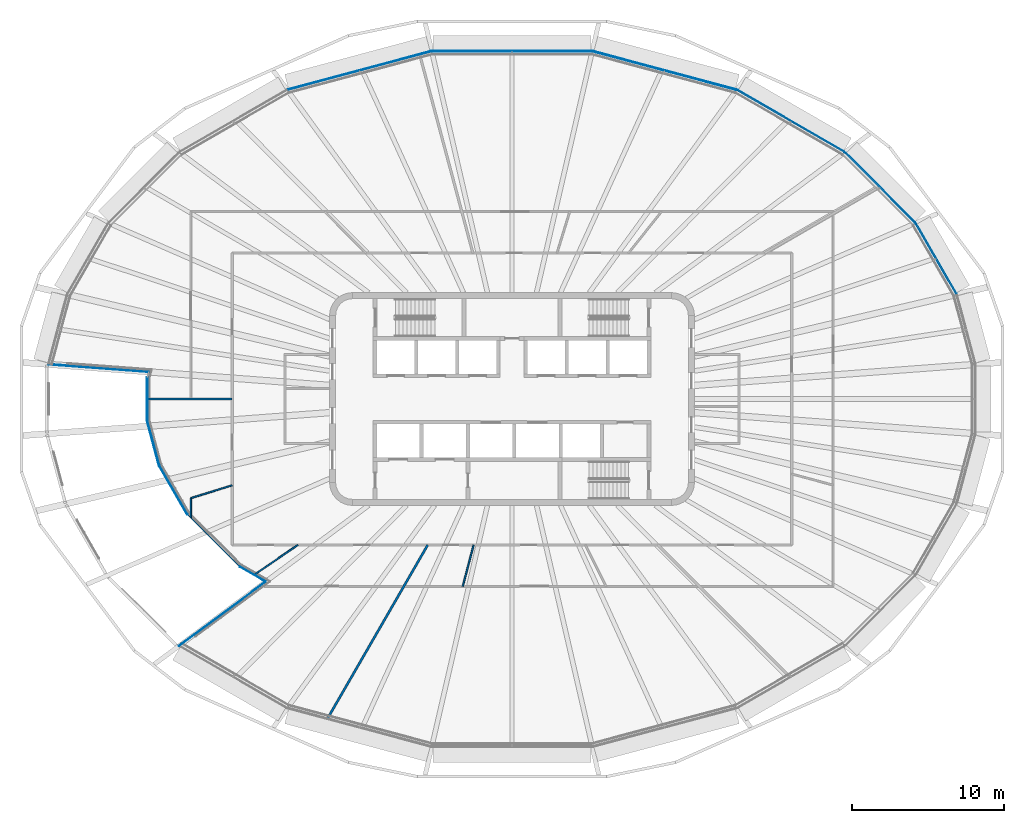
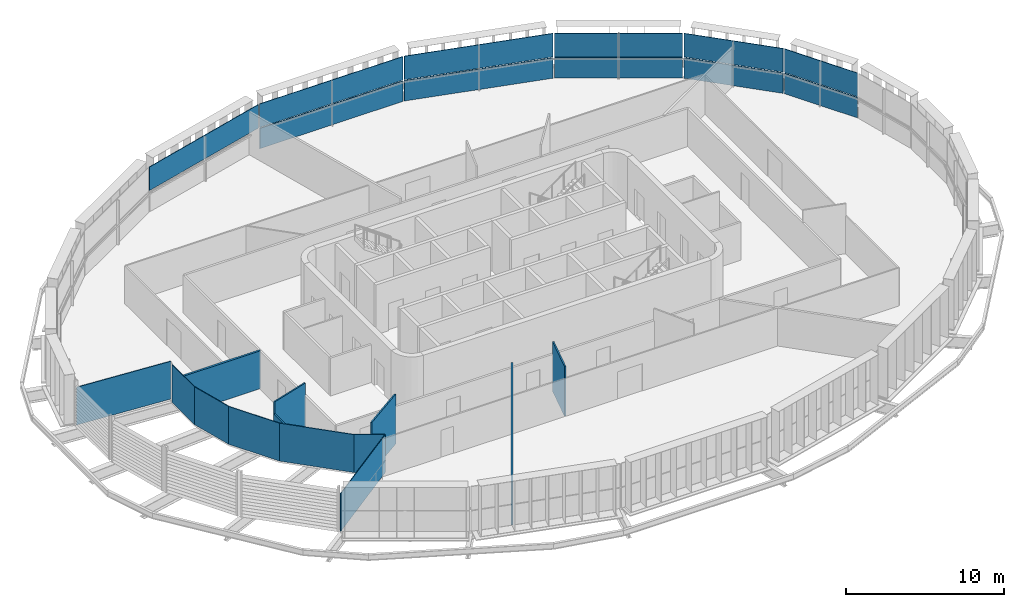
# One storey, part 9 of 19: 13 walls, 11 plates, 6 elements without a shape of their own.
"""IFC4 building model written with IfcOpenShell, lengths in metres."""

from ifc_helpers import new_model, si_unit, direction, frame, frame_2d, origin, place, context, subcontext, project, spatial, polyline, rectangle, outline, extrude, material, layer, layer_set, type_object, element, aggregate, save


model = new_model("IFC4")

# Units and contexts
model_context = context("Model", 3, precision=1e-05, world=origin(), true_north=direction((0.0, 1.0)))
body_context = subcontext(model_context, "Body", "Model", "MODEL_VIEW")
ifc_project = project(units=[si_unit("LENGTHUNIT", "METRE"), si_unit("AREAUNIT", "SQUARE_METRE"), si_unit("VOLUMEUNIT", "CUBIC_METRE"), si_unit("PLANEANGLEUNIT", "RADIAN"), si_unit("MASSUNIT", "GRAM", prefix="KILO")], contexts=[model_context])

# Site, building, storey
site_placement = place(None, origin())
site = spatial("IfcSite", under=ifc_project, at=site_placement, CompositionType="ELEMENT")
building_placement = place(site_placement, origin())
building = spatial("IfcBuilding", under=site, at=building_placement, Name="Sahrelin Media Tower", CompositionType="ELEMENT")
storey_placement = place(building_placement, frame((0.0, 0.0, 229.60009765625)))
storey = spatial("IfcBuildingStorey", under=building, at=storey_placement, Name="L49", CompositionType="ELEMENT", Elevation=229.60009765625)

# Curtain wall, plate
ifc_material_1 = material(Name="Champagne anodised aluminium 6063-T6", Category="aluminium")
ifc_layer_1 = layer(ifc_material_1, 0.14990234375)
ifc_layer_set_1 = layer_set([ifc_layer_1], Name="Tower ribbon curtain wall")
curtain_wall_type = type_object("IfcCurtainWallType", Name="Tower ribbon curtain wall", PredefinedType="NOTDEFINED", material=ifc_layer_set_1)
curtain_wall_1_placement = place(storey_placement, frame((27.905517578125, 9.22802734375, 0.0), z_axis=(0.0, 0.0, 1.0), x_axis=(1.0, 0.0, 0.0)))
curtain_wall_1 = element("IfcCurtainWall", 1, at=curtain_wall_1_placement, inside=storey, type_object=curtain_wall_type, Name="L49:CW:L49-02", PredefinedType="NOTDEFINED")
ifc_material_2 = material(Name="Clear low-iron glazing", Category="glass")
ifc_layer_2 = layer(ifc_material_2, 0.0439453125)
ifc_layer_set_2 = layer_set([ifc_layer_2], Name="Glazing panel 44 mm CW1B")
plate_type_1 = type_object("IfcPlateType", Name="Glazing panel 44 mm CW1B", PredefinedType="CURTAIN_PANEL", material=ifc_layer_set_2)
plate_1_placement = place(storey_placement, frame((29.253173828125, 6.93359375, 1.6298828125), z_axis=(0.866018272686, 0.500012351221, 0.0), x_axis=(-0.500012351221, 0.866018272686, 0.0)))
plate_1 = element("IfcPlate", 2, at=plate_1_placement, type_object=plate_type_1, Name="L49:CWP2:L49-02", PredefinedType="CURTAIN_PANEL", context=body_context, shape_type="SweptSolid", body=[
    extrude(outline(polyline([(0.0, 0.0), (5.321533203125, 0.0), (5.321533203125, 1.818603515625), (0.0, 1.818603515625), (0.0, 0.0)])), origin(), (0.0, 0.0, -1.0), 0.0439453125),
])

curtain_wall_2_placement = place(storey_placement, frame((24.22119140625, 13.904296875, 0.0), z_axis=(0.0, 0.0, 1.0), x_axis=(1.0, 0.0, 0.0)))
curtain_wall_2 = element("IfcCurtainWall", 3, at=curtain_wall_2_placement, inside=storey, type_object=curtain_wall_type, Name="L49:CW:L49-03", PredefinedType="NOTDEFINED")
plate_2_placement = place(storey_placement, frame((26.52880859375, 11.625, 1.6298828125), z_axis=(0.707106781187, 0.707106781187, 0.0), x_axis=(-0.707106781187, 0.707106781187, 0.0)))
plate_2 = element("IfcPlate", 4, at=plate_2_placement, type_object=plate_type_1, Name="L49:CWP2:L49-03", PredefinedType="CURTAIN_PANEL", context=body_context, shape_type="SweptSolid", body=[
    extrude(outline(polyline([(0.0, 0.0), (6.48681640625, 0.0), (6.48681640625, 1.818603515625), (0.0, 1.818603515625), (0.0, 0.0)])), origin(), (0.0, 0.0, -1.0), 0.0439453125),
])

curtain_wall_3_placement = place(storey_placement, frame((18.337646484375, 18.28564453125, 0.0), z_axis=(0.0, 0.0, 1.0), x_axis=(1.0, 0.0, 0.0)))
curtain_wall_3 = element("IfcCurtainWall", 5, at=curtain_wall_3_placement, inside=storey, type_object=curtain_wall_type, Name="L49:CW:L49-04", PredefinedType="NOTDEFINED")
plate_3_placement = place(storey_placement, frame((21.859130859375, 16.275390625, 1.6298828125), z_axis=(0.499998693927, 0.866026157845, 0.0), x_axis=(-0.866026157845, 0.499998693927, 0.0)))
plate_3 = element("IfcPlate", 6, at=plate_3_placement, type_object=plate_type_1, Name="L49:CWP2:L49-04", PredefinedType="CURTAIN_PANEL", context=body_context, shape_type="SweptSolid", body=[
    extrude(outline(polyline([(0.0, 0.0), (8.109375, 0.0), (8.109375, 1.818603515625), (0.0, 1.818603515625), (0.0, 0.0)])), origin(), (0.0, 0.0, -1.0), 0.0439453125),
])

curtain_wall_4_placement = place(storey_placement, frame((10.031982421875, 21.61083984375, 0.0), z_axis=(0.0, 0.0, 1.0), x_axis=(1.0, 0.0, 0.0)))
curtain_wall_4 = element("IfcCurtainWall", 7, at=curtain_wall_4_placement, inside=storey, type_object=curtain_wall_type, Name="L49:CW:L49-05", PredefinedType="NOTDEFINED")
plate_4_placement = place(storey_placement, frame((14.739990234375, 20.3701171875, 1.6298828125), z_axis=(0.258818797432, 0.965925892652, 0.0), x_axis=(-0.965925892652, 0.258818797432, 0.0)))
plate_4 = element("IfcPlate", 8, at=plate_4_placement, type_object=plate_type_1, Name="L49:CWP2:L49-05", PredefinedType="CURTAIN_PANEL", context=body_context, shape_type="SweptSolid", body=[
    extrude(outline(polyline([(0.0, 0.0), (9.737548828125, 0.0), (9.737548828125, 1.818603515625), (0.0, 1.818603515625), (0.0, 0.0)])), origin(), (0.0, 0.0, -1.0), 0.0439453125),
])

curtain_wall_5_placement = place(storey_placement, frame((0.0, 22.884033203125, 0.0), z_axis=(0.0, 0.0, 1.0), x_axis=(1.0, 0.0, 0.0)))
curtain_wall_5 = element("IfcCurtainWall", 9, at=curtain_wall_5_placement, inside=storey, type_object=curtain_wall_type, Name="L49:CW:L49-06", PredefinedType="NOTDEFINED")
plate_5_placement = place(storey_placement, frame((5.230712890625, 22.904052734375, 1.6298828125), z_axis=(0.0, 1.0, 0.0), x_axis=(-1.0, 0.0, 0.0)))
plate_5 = element("IfcPlate", 10, at=plate_5_placement, type_object=plate_type_1, Name="L49:CWP2:L49-06", PredefinedType="CURTAIN_PANEL", context=body_context, shape_type="SweptSolid", body=[
    extrude(outline(polyline([(0.0, 0.0), (10.46142578125, 0.0), (10.46142578125, 1.818603515625), (0.0, 1.818603515625), (0.0, 0.0)])), origin(), (0.0, 0.0, -1.0), 0.0439453125),
])

curtain_wall_6_placement = place(storey_placement, frame((-10.031982421875, 21.611083984375, 0.0), z_axis=(0.0, 0.0, 1.0), x_axis=(1.0, 0.0, 0.0)))
curtain_wall_6 = element("IfcCurtainWall", 11, at=curtain_wall_6_placement, inside=storey, type_object=curtain_wall_type, Name="L49:CW:L49-07", PredefinedType="NOTDEFINED")
plate_6_placement = place(storey_placement, frame((-5.334228515625, 22.890380859375, 1.6298828125), z_axis=(-0.258818797432, 0.965925892652, 0.0), x_axis=(-0.965925892652, -0.258818797432, 0.0)))
plate_6 = element("IfcPlate", 12, at=plate_6_placement, type_object=plate_type_1, Name="L49:CWP2:L49-07", PredefinedType="CURTAIN_PANEL", context=body_context, shape_type="SweptSolid", body=[
    extrude(outline(polyline([(0.0, 0.0), (9.737548828125, 0.0), (9.737548828125, 1.818603515625), (0.0, 1.818603515625), (0.0, 0.0)])), origin(), (0.0, 0.0, -1.0), 0.0439453125),
])
aggregate(curtain_wall_6, [plate_6])

# Plate
ifc_material_3 = material(Name="Insulated spandrel panel")
ifc_layer_3 = layer(ifc_material_3, 0.06005859375)
ifc_layer_set_3 = layer_set([ifc_layer_3], Name="Spandrel panel 60 mm CW1")
plate_type_2 = type_object("IfcPlateType", Name="Spandrel panel 60 mm CW1", PredefinedType="SHEET", material=ifc_layer_set_3)
plate_7_placement = place(storey_placement, frame((29.253173828125, 6.93359375, 0.0), z_axis=(0.866018272686, 0.500012351221, 0.0), x_axis=(-0.500012351221, 0.866018272686, 0.0)))
plate_7 = element("IfcPlate", 13, at=plate_7_placement, type_object=plate_type_2, Name="L49:CWP1:L49-02", PredefinedType="SHEET", context=body_context, shape_type="SweptSolid", body=[
    extrude(outline(polyline([(0.0, 0.0), (5.321533203125, 0.0), (5.321533203125, 1.56982421875), (0.0, 1.56982421875), (0.0, 0.0)])), origin(), (0.0, 0.0, -1.0), 0.06005859375),
])

aggregate(curtain_wall_1, [plate_7, plate_1])

plate_8_placement = place(storey_placement, frame((26.52880859375, 11.625, 0.0), z_axis=(0.707106781187, 0.707106781187, 0.0), x_axis=(-0.707106781187, 0.707106781187, 0.0)))
plate_8 = element("IfcPlate", 14, at=plate_8_placement, type_object=plate_type_2, Name="L49:CWP1:L49-03", PredefinedType="SHEET", context=body_context, shape_type="SweptSolid", body=[
    extrude(outline(polyline([(0.0, 0.0), (6.48681640625, 0.0), (6.48681640625, 1.56982421875), (0.0, 1.56982421875), (0.0, 0.0)])), origin(), (0.0, 0.0, -1.0), 0.06005859375),
])

aggregate(curtain_wall_2, [plate_8, plate_2])

plate_9_placement = place(storey_placement, frame((21.859130859375, 16.275390625, 0.0), z_axis=(0.499998693927, 0.866026157845, 0.0), x_axis=(-0.866026157845, 0.499998693927, 0.0)))
plate_9 = element("IfcPlate", 15, at=plate_9_placement, type_object=plate_type_2, Name="L49:CWP1:L49-04", PredefinedType="SHEET", context=body_context, shape_type="SweptSolid", body=[
    extrude(outline(polyline([(0.0, 0.0), (8.109375, 0.0), (8.109375, 1.56982421875), (0.0, 1.56982421875), (0.0, 0.0)])), origin(), (0.0, 0.0, -1.0), 0.06005859375),
])

aggregate(curtain_wall_3, [plate_9, plate_3])

plate_10_placement = place(storey_placement, frame((14.739990234375, 20.3701171875, 0.0), z_axis=(0.258818797432, 0.965925892652, 0.0), x_axis=(-0.965925892652, 0.258818797432, 0.0)))
plate_10 = element("IfcPlate", 16, at=plate_10_placement, type_object=plate_type_2, Name="L49:CWP1:L49-05", PredefinedType="SHEET", context=body_context, shape_type="SweptSolid", body=[
    extrude(outline(polyline([(0.0, 0.0), (9.737548828125, 0.0), (9.737548828125, 1.56982421875), (0.0, 1.56982421875), (0.0, 0.0)])), origin(), (0.0, 0.0, -1.0), 0.06005859375),
])

aggregate(curtain_wall_4, [plate_10, plate_4])

plate_11_placement = place(storey_placement, frame((5.230712890625, 22.904052734375, 0.0), z_axis=(0.0, 1.0, 0.0), x_axis=(-1.0, 0.0, 0.0)))
plate_11 = element("IfcPlate", 17, at=plate_11_placement, type_object=plate_type_2, Name="L49:CWP1:L49-06", PredefinedType="SHEET", context=body_context, shape_type="SweptSolid", body=[
    extrude(outline(polyline([(0.0, 0.0), (10.46142578125, 0.0), (10.46142578125, 1.56982421875), (0.0, 1.56982421875), (0.0, 0.0)])), origin(), (0.0, 0.0, -1.0), 0.06005859375),
])

aggregate(curtain_wall_5, [plate_11, plate_5])

# Walls
ifc_material_4 = material(Name="Fire-rated gypsum board partition")
ifc_layer_4 = layer(ifc_material_4, 0.14990234375)
ifc_layer_set_4 = layer_set([ifc_layer_4], Name="Fire-rated partition 150")
wall_type_1 = type_object("IfcWallType", Name="Fire-rated partition 150", PredefinedType="PARTITIONING", material=ifc_layer_set_4)
wall_1_placement = place(storey_placement, frame((-23.993896484375, 0.0, 0.0), z_axis=(0.0, 0.0, 1.0), x_axis=(1.0, 0.0, 0.0)))
element("IfcWall", 18, at=wall_1_placement, inside=storey, type_object=wall_type_1, Name="Wall", PredefinedType="PARTITIONING", context=body_context, shape_type="SweptSolid", body=[
    extrude(rectangle(XDim=5.593994140625, YDim=0.14990234375, at=frame_2d((2.796875, 0.0))), origin(), (0.0, 0.0, 1.0), 2.918212890625),
])
wall_2_placement = place(storey_placement, frame((-12.14990234375, -21.0439453125, 0.0), z_axis=(0.0, 0.0, 1.0), x_axis=(0.499954356739, 0.86605175433, 0.0)))
element("IfcWall", 19, at=wall_2_placement, inside=storey, type_object=wall_type_1, Name="Wall", PredefinedType="PARTITIONING", context=body_context, shape_type="SweptSolid", body=[
    extrude(rectangle(XDim=13.214111328125, YDim=0.14990234375, at=frame_2d((6.60693359375, 0.0))), origin(), (0.0, 0.0, 1.0), 3.301513671875),
])
ifc_material_5 = material(Name="Clear glass", Category="glass")
ifc_layer_5 = layer(ifc_material_5, 0.050048828125)
ifc_layer_set_5 = layer_set([ifc_layer_5], Name="Glazed partition 50")
wall_type_2 = type_object("IfcWallType", Name="Glazed partition 50", PredefinedType="PARTITIONING", material=ifc_layer_set_5)
wall_3_placement = place(storey_placement, frame((-23.993896484375, -1.422119140625, 0.0), z_axis=(0.0, 0.0, 1.0), x_axis=(0.258702774174, -0.965956973491, 0.0)))
element("IfcWall", 20, at=wall_3_placement, inside=storey, type_object=wall_type_2, Name="Wall", PredefinedType="PARTITIONING", context=body_context, shape_type="SweptSolid", body=[
    extrude(rectangle(XDim=3.052978515625, YDim=0.050048828125, at=frame_2d((1.5263671875, 0.0))), origin(), (0.0, 0.0, 1.0), 2.918212890625),
])
wall_4_placement = place(storey_placement, frame((-23.2041015625, -4.37109375, 0.0), z_axis=(0.0, 0.0, 1.0), x_axis=(0.500003477455, -0.866023396066, 0.0)))
element("IfcWall", 21, at=wall_4_placement, inside=storey, type_object=wall_type_2, Name="Wall", PredefinedType="PARTITIONING", context=body_context, shape_type="SweptSolid", body=[
    extrude(rectangle(XDim=3.7099609375, YDim=0.050048828125, at=frame_2d((1.85498046875, 0.0))), origin(), (0.0, 0.0, 1.0), 2.918212890625),
])
wall_5_placement = place(storey_placement, frame((-21.34912109375, -7.583984375, 0.0), z_axis=(0.0, 0.0, 1.0), x_axis=(0.70713181373, -0.707081747757, 0.0)))
element("IfcWall", 22, at=wall_5_placement, inside=storey, type_object=wall_type_2, Name="Wall", PredefinedType="PARTITIONING", context=body_context, shape_type="SweptSolid", body=[
    extrude(rectangle(XDim=4.87646484375, YDim=0.050048828125, at=frame_2d((2.438232421875, 0.0))), origin(), (0.0, 0.0, 1.0), 2.927001953125),
])
wall_6_placement = place(storey_placement, frame((-17.90087890625, -11.031982421875, 0.0), z_axis=(0.0, 0.0, 1.0), x_axis=(0.866137951632, -0.499805010722, 0.0)))
element("IfcWall", 23, at=wall_6_placement, inside=storey, type_object=wall_type_2, Name="Wall", PredefinedType="PARTITIONING", context=body_context, shape_type="SweptSolid", body=[
    extrude(rectangle(XDim=1.962646484375, YDim=0.050048828125, at=frame_2d((0.9814453125, 0.0))), origin(), (0.0, 0.0, 1.0), 2.927001953125),
])
wall_7_placement = place(storey_placement, frame((-30.493896484375, 2.278076171875, 0.0), z_axis=(0.0, 0.0, 1.0), x_axis=(0.997217377811, -0.074548651167, 0.0)))
element("IfcWall", 24, at=wall_7_placement, inside=storey, type_object=wall_type_2, Name="Wall", PredefinedType="PARTITIONING", context=body_context, shape_type="SweptSolid", body=[
    extrude(rectangle(XDim=6.615234375, YDim=0.050048828125, at=frame_2d((3.3076171875, 0.0))), origin(), (0.0, 0.0, 1.0), 2.918212890625),
])
wall_8_placement = place(storey_placement, frame((-21.89208984375, -16.23291015625, 0.0), z_axis=(0.0, 0.0, 1.0), x_axis=(0.803267144232, 0.595618917595, 0.0)))
element("IfcWall", 25, at=wall_8_placement, inside=storey, type_object=wall_type_2, Name="Wall", PredefinedType="PARTITIONING", context=body_context, shape_type="SweptSolid", body=[
    extrude(rectangle(XDim=7.0849609375, YDim=0.050048828125, at=frame_2d((3.54248046875, 0.0))), origin(), (0.0, 0.0, 1.0), 2.927001953125),
])
wall_9_placement = place(storey_placement, frame((-23.993896484375, -1.422119140625, 0.0), z_axis=(0.0, 0.0, 1.0), x_axis=(0.0, 1.0, 0.0)))
element("IfcWall", 26, at=wall_9_placement, inside=storey, type_object=wall_type_2, Name="Wall", PredefinedType="PARTITIONING", context=body_context, shape_type="SweptSolid", body=[
    extrude(rectangle(XDim=2.84423828125, YDim=0.050048828125, at=frame_2d((1.422119140625, 0.0))), origin(), (0.0, 0.0, 1.0), 2.918212890625),
])
ifc_material_6 = material(Name="Gypsum board partition")
ifc_layer_6 = layer(ifc_material_6, 0.10009765625)
ifc_layer_set_6 = layer_set([ifc_layer_6], Name="Partition 100")
wall_type_3 = type_object("IfcWallType", Name="Partition 100", PredefinedType="PARTITIONING", material=ifc_layer_set_6)
wall_10_placement = place(storey_placement, frame((-21.1201171875, -6.514892578125, 0.0), z_axis=(0.0, 0.0, 1.0), x_axis=(0.955593380923, 0.294688463189, 0.0)))
element("IfcWall", 27, at=wall_10_placement, inside=storey, type_object=wall_type_3, Name="Wall", PredefinedType="PARTITIONING", context=body_context, shape_type="SweptSolid", body=[
    extrude(rectangle(XDim=2.8466796875, YDim=0.10009765625, at=frame_2d((1.42333984375, 0.0))), origin(), (0.0, 0.0, 1.0), 3.849853515625),
])
wall_11_placement = place(storey_placement, frame((-16.968994140625, -11.570068359375, 0.0), z_axis=(0.0, 0.0, 1.0), x_axis=(0.826104689434, 0.563516674194, 0.0)))
element("IfcWall", 28, at=wall_11_placement, inside=storey, type_object=wall_type_3, Name="Wall", PredefinedType="PARTITIONING", context=body_context, shape_type="SweptSolid", body=[
    extrude(rectangle(XDim=3.495849609375, YDim=0.10009765625, at=frame_2d((1.748046875, 0.0))), origin(), (0.0, 0.0, 1.0), 3.849853515625),
])
wall_12_placement = place(storey_placement, frame((-3.239990234375, -12.320068359375, 0.0), z_axis=(0.0, 0.0, 1.0), x_axis=(0.254262551931, 0.967135230816, 0.0)))
element("IfcWall", 29, at=wall_12_placement, inside=storey, type_object=wall_type_3, Name="Wall", PredefinedType="PARTITIONING", context=body_context, shape_type="SweptSolid", body=[
    extrude(rectangle(XDim=2.8125, YDim=0.10009765625, at=frame_2d((1.40625, 0.0))), origin(), (0.0, 0.0, 1.0), 3.849853515625),
])
wall_13_placement = place(storey_placement, frame((-21.1201171875, -7.81298828125, 0.0), z_axis=(0.0, 0.0, 1.0), x_axis=(0.0, 1.0, 0.0)))
element("IfcWall", 30, at=wall_13_placement, inside=storey, type_object=wall_type_3, Name="Wall", PredefinedType="PARTITIONING", context=body_context, shape_type="SweptSolid", body=[
    extrude(rectangle(XDim=1.298095703125, YDim=0.10009765625, at=frame_2d((0.64892578125, 0.0))), origin(), (0.0, 0.0, 1.0), 2.927001953125),
])

save(model, "model.ifc")
